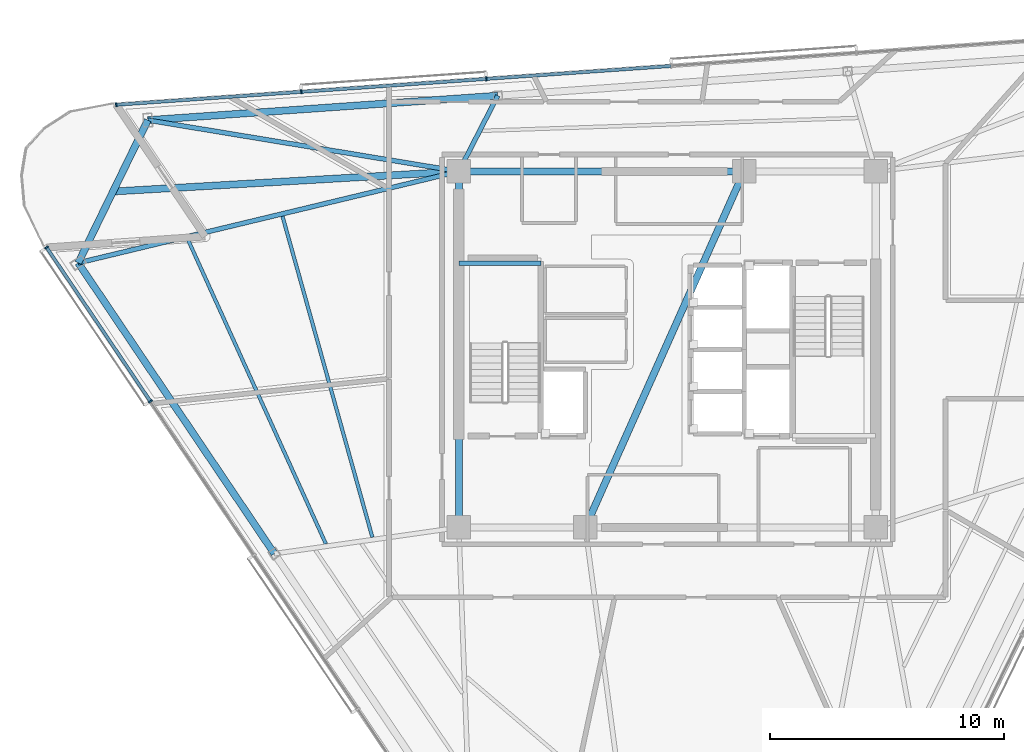
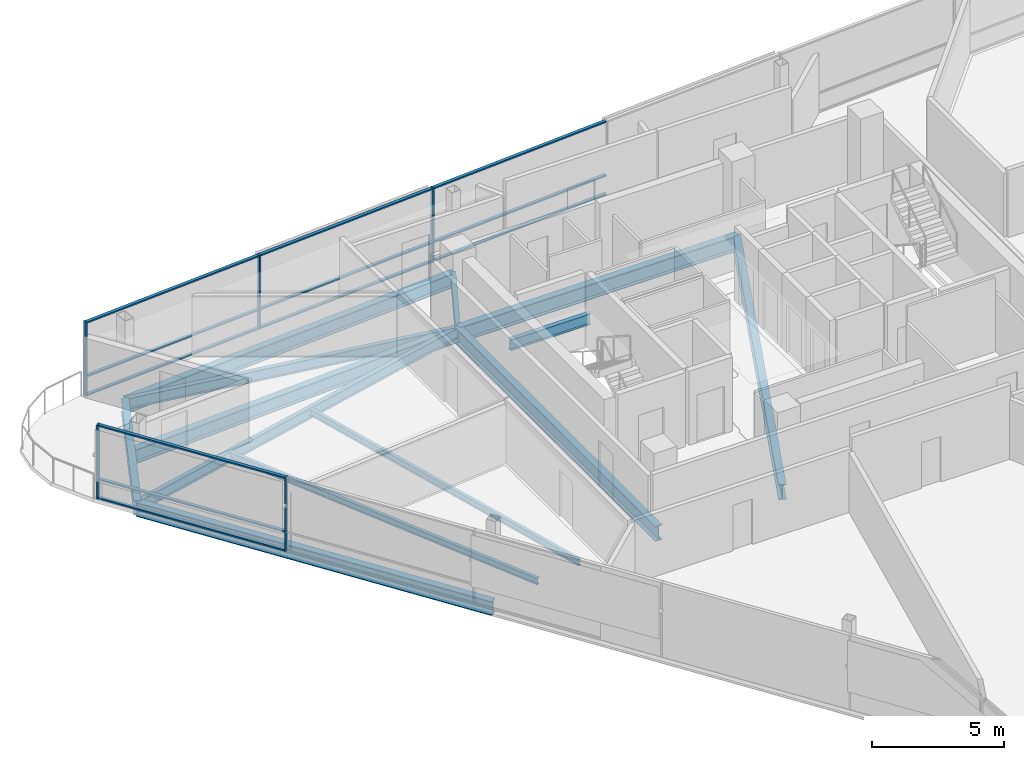
# One storey, part 5 of 16: 17 members, 13 beams, 2 elements without a shape of their own.
"""IFC4 building model written with IfcOpenShell, lengths in metres."""

from ifc_helpers import new_model, si_unit, direction, frame, origin, origin_2d, place, context, subcontext, project, spatial, rectangle, i_section, extrude, material, layer, layer_set, material_profile, profile_set, type_object, element, aggregate, save


model = new_model("IFC4")

# Units and contexts
model_context = context("Model", 3, precision=1e-05, world=origin(), true_north=direction((0.0, 1.0)))
body_context = subcontext(model_context, "Body", "Model", "MODEL_VIEW")
ifc_project = project(units=[si_unit("LENGTHUNIT", "METRE"), si_unit("AREAUNIT", "SQUARE_METRE"), si_unit("VOLUMEUNIT", "CUBIC_METRE"), si_unit("PLANEANGLEUNIT", "RADIAN"), si_unit("MASSUNIT", "GRAM", prefix="KILO")], contexts=[model_context])

# Site, building, storey
site_placement = place(None, origin())
site = spatial("IfcSite", under=ifc_project, at=site_placement, CompositionType="ELEMENT")
building_placement = place(site_placement, origin())
building = spatial("IfcBuilding", under=site, at=building_placement, Name="Tharavind Bronze Gate", CompositionType="ELEMENT")
storey_placement = place(building_placement, frame((0.0, 0.0, 260.60009765625)))
storey = spatial("IfcBuildingStorey", under=building, at=storey_placement, Name="L67", CompositionType="ELEMENT", Elevation=260.60009765625)

# Curtain wall, members
ifc_material_1 = material(Name="Anodised Bronze Aluminium", Category="aluminium")
ifc_layer = layer(ifc_material_1, 0.219970703125)
ifc_layer_set = layer_set([ifc_layer], Name="Anodised Bronze Aluminium")
curtain_wall_type = type_object("IfcCurtainWallType", Name="UNITISED CURTAIN WALL UPPER OFFICE", PredefinedType="USERDEFINED", material=ifc_layer_set)
curtain_wall_1_placement = place(storey_placement, origin())
curtain_wall_1 = element("IfcCurtainWall", 1, at=curtain_wall_1_placement, inside=storey, type_object=curtain_wall_type, Name="L67 unitised curtain wall upper office CW-L67-S1", ObjectType="UNITISED CURTAIN WALL", PredefinedType="USERDEFINED")
member_type_1 = type_object("IfcMemberType", Name="CURTAIN WALL BRONZE MULLION 65X180", PredefinedType="MULLION", material=ifc_material_1)
member_1_placement = place(storey_placement, frame((-26.498046875, 4.352294921875, 0.0), z_axis=(0.0, 0.0, 1.0), x_axis=(0.559191456526, -0.82903854853, 0.0)))
member_1 = element("IfcMember", 2, at=member_1_placement, type_object=member_type_1, Name="CW-L67-S1 mullion 1", PredefinedType="MULLION", context=body_context, shape_type="SweptSolid", body=[
    extrude(rectangle(XDim=0.06494140625, YDim=0.179931640625, at=origin_2d()), origin(), (0.0, 0.0, 1.0), 3.419921875),
])
member_2_placement = place(storey_placement, frame((-22.069091796875, -2.214111328125, 0.0), z_axis=(0.0, 0.0, 1.0), x_axis=(0.559191456526, -0.82903854853, 0.0)))
member_2 = element("IfcMember", 3, at=member_2_placement, type_object=member_type_1, Name="CW-L67-S1 mullion 2", PredefinedType="MULLION", context=body_context, shape_type="SweptSolid", body=[
    extrude(rectangle(XDim=0.06494140625, YDim=0.179931640625, at=origin_2d()), origin(), (0.0, 0.0, 1.0), 3.419921875),
])

curtain_wall_2_placement = place(storey_placement, origin())
curtain_wall_2 = element("IfcCurtainWall", 4, at=curtain_wall_2_placement, inside=storey, type_object=curtain_wall_type, Name="L67 unitised curtain wall upper office CW-L67-S3", ObjectType="UNITISED CURTAIN WALL", PredefinedType="USERDEFINED")
member_3_placement = place(storey_placement, frame((-7.7236328125, 11.551025390625, 0.0), z_axis=(0.0, 0.0, 1.0), x_axis=(-0.997563806758, -0.069759955899, 0.0)))
member_3 = element("IfcMember", 5, at=member_3_placement, type_object=member_type_1, Name="CW-L67-S3 mullion 5", PredefinedType="MULLION", context=body_context, shape_type="SweptSolid", body=[
    extrude(rectangle(XDim=0.06494140625, YDim=0.179931640625, at=origin_2d()), origin(), (0.0, 0.0, 1.0), 3.419921875),
])
member_4_placement = place(storey_placement, frame((-15.624755859375, 10.99853515625, 0.0), z_axis=(0.0, 0.0, 1.0), x_axis=(-0.997563806758, -0.069759955899, 0.0)))
member_4 = element("IfcMember", 6, at=member_4_placement, type_object=member_type_1, Name="CW-L67-S3 mullion 6", PredefinedType="MULLION", context=body_context, shape_type="SweptSolid", body=[
    extrude(rectangle(XDim=0.06494140625, YDim=0.179931640625, at=origin_2d()), origin(), (0.0, 0.0, 1.0), 3.419921875),
])
member_5_placement = place(storey_placement, frame((-23.52587890625, 10.446044921875, 0.0), z_axis=(0.0, 0.0, 1.0), x_axis=(-0.997563806758, -0.069759955899, 0.0)))
member_5 = element("IfcMember", 7, at=member_5_placement, type_object=member_type_1, Name="CW-L67-S3 mullion 7", PredefinedType="MULLION", context=body_context, shape_type="SweptSolid", body=[
    extrude(rectangle(XDim=0.06494140625, YDim=0.179931640625, at=origin_2d()), origin(), (0.0, 0.0, 1.0), 3.419921875),
])

# Member
member_type_2 = type_object("IfcMemberType", Name="CURTAIN WALL BRONZE TRANSOM 65X140", PredefinedType="USERDEFINED", material=ifc_material_1)
member_6_placement = place(storey_placement, frame((-24.283447265625, 1.069091796875, 0.0), z_axis=(0.0, 0.0, 1.0), x_axis=(0.559191456526, -0.82903854853, 0.0)))
member_6 = element("IfcMember", 8, at=member_6_placement, type_object=member_type_2, Name="CW-L67-S1 transom TB1", ObjectType="TRANSOM", PredefinedType="USERDEFINED", context=body_context, shape_type="SweptSolid", body=[
    extrude(rectangle(XDim=7.8671875, YDim=0.139892578125, at=origin_2d()), origin(), (0.0, 0.0, 1.0), 0.06494140625),
])

member_7_placement = place(storey_placement, frame((-24.283447265625, 1.069091796875, 0.867431640625), z_axis=(0.0, 0.0, 1.0), x_axis=(0.559191456526, -0.82903854853, 0.0)))
member_7 = element("IfcMember", 9, at=member_7_placement, type_object=member_type_2, Name="CW-L67-S1 transom TS1", ObjectType="TRANSOM", PredefinedType="USERDEFINED", context=body_context, shape_type="SweptSolid", body=[
    extrude(rectangle(XDim=7.8671875, YDim=0.139892578125, at=origin_2d()), origin(), (0.0, 0.0, 1.0), 0.06494140625),
])

member_8_placement = place(storey_placement, frame((-24.283447265625, 1.069091796875, 3.35498046875), z_axis=(0.0, 0.0, 1.0), x_axis=(0.559191456526, -0.82903854853, 0.0)))
member_8 = element("IfcMember", 10, at=member_8_placement, type_object=member_type_2, Name="CW-L67-S1 transom TT1", ObjectType="TRANSOM", PredefinedType="USERDEFINED", context=body_context, shape_type="SweptSolid", body=[
    extrude(rectangle(XDim=7.8671875, YDim=0.139892578125, at=origin_2d()), origin(), (0.0, 0.0, 1.0), 0.06494140625),
])

aggregate(curtain_wall_1, [member_1, member_2, member_6, member_7, member_8])

member_9_placement = place(storey_placement, frame((-3.773193359375, 11.827392578125, 0.0), z_axis=(0.0, 0.0, 1.0), x_axis=(-0.997563806758, -0.069759955899, 0.0)))
member_9 = element("IfcMember", 11, at=member_9_placement, type_object=member_type_2, Name="CW-L67-S3 transom TB4", ObjectType="TRANSOM", PredefinedType="USERDEFINED", context=body_context, shape_type="SweptSolid", body=[
    extrude(rectangle(XDim=7.8671875, YDim=0.139892578125, at=origin_2d()), origin(), (0.0, 0.0, 1.0), 0.06494140625),
])

member_10_placement = place(storey_placement, frame((-3.773193359375, 11.827392578125, 0.867431640625), z_axis=(0.0, 0.0, 1.0), x_axis=(-0.997563806758, -0.069759955899, 0.0)))
member_10 = element("IfcMember", 12, at=member_10_placement, type_object=member_type_2, Name="CW-L67-S3 transom TS4", ObjectType="TRANSOM", PredefinedType="USERDEFINED", context=body_context, shape_type="SweptSolid", body=[
    extrude(rectangle(XDim=7.8671875, YDim=0.139892578125, at=origin_2d()), origin(), (0.0, 0.0, 1.0), 0.06494140625),
])

member_11_placement = place(storey_placement, frame((-3.773193359375, 11.827392578125, 3.35498046875), z_axis=(0.0, 0.0, 1.0), x_axis=(-0.997563806758, -0.069759955899, 0.0)))
member_11 = element("IfcMember", 13, at=member_11_placement, type_object=member_type_2, Name="CW-L67-S3 transom TT4", ObjectType="TRANSOM", PredefinedType="USERDEFINED", context=body_context, shape_type="SweptSolid", body=[
    extrude(rectangle(XDim=7.8671875, YDim=0.139892578125, at=origin_2d()), origin(), (0.0, 0.0, 1.0), 0.06494140625),
])

member_12_placement = place(storey_placement, frame((-11.67431640625, 11.27490234375, 0.0), z_axis=(0.0, 0.0, 1.0), x_axis=(-0.997563806758, -0.069759955899, 0.0)))
member_12 = element("IfcMember", 14, at=member_12_placement, type_object=member_type_2, Name="CW-L67-S3 transom TB5", ObjectType="TRANSOM", PredefinedType="USERDEFINED", context=body_context, shape_type="SweptSolid", body=[
    extrude(rectangle(XDim=7.8671875, YDim=0.139892578125, at=origin_2d()), origin(), (0.0, 0.0, 1.0), 0.06494140625),
])

member_13_placement = place(storey_placement, frame((-11.67431640625, 11.27490234375, 0.867431640625), z_axis=(0.0, 0.0, 1.0), x_axis=(-0.997563806758, -0.069759955899, 0.0)))
member_13 = element("IfcMember", 15, at=member_13_placement, type_object=member_type_2, Name="CW-L67-S3 transom TS5", ObjectType="TRANSOM", PredefinedType="USERDEFINED", context=body_context, shape_type="SweptSolid", body=[
    extrude(rectangle(XDim=7.8671875, YDim=0.139892578125, at=origin_2d()), origin(), (0.0, 0.0, 1.0), 0.06494140625),
])

member_14_placement = place(storey_placement, frame((-11.67431640625, 11.27490234375, 3.35498046875), z_axis=(0.0, 0.0, 1.0), x_axis=(-0.997563806758, -0.069759955899, 0.0)))
member_14 = element("IfcMember", 16, at=member_14_placement, type_object=member_type_2, Name="CW-L67-S3 transom TT5", ObjectType="TRANSOM", PredefinedType="USERDEFINED", context=body_context, shape_type="SweptSolid", body=[
    extrude(rectangle(XDim=7.8671875, YDim=0.139892578125, at=origin_2d()), origin(), (0.0, 0.0, 1.0), 0.06494140625),
])

member_15_placement = place(storey_placement, frame((-19.5751953125, 10.722412109375, 0.0), z_axis=(0.0, 0.0, 1.0), x_axis=(-0.997563806758, -0.069759955899, 0.0)))
member_15 = element("IfcMember", 17, at=member_15_placement, type_object=member_type_2, Name="CW-L67-S3 transom TB6", ObjectType="TRANSOM", PredefinedType="USERDEFINED", context=body_context, shape_type="SweptSolid", body=[
    extrude(rectangle(XDim=7.8671875, YDim=0.139892578125, at=origin_2d()), origin(), (0.0, 0.0, 1.0), 0.06494140625),
])

member_16_placement = place(storey_placement, frame((-19.5751953125, 10.722412109375, 0.867431640625), z_axis=(0.0, 0.0, 1.0), x_axis=(-0.997563806758, -0.069759955899, 0.0)))
member_16 = element("IfcMember", 18, at=member_16_placement, type_object=member_type_2, Name="CW-L67-S3 transom TS6", ObjectType="TRANSOM", PredefinedType="USERDEFINED", context=body_context, shape_type="SweptSolid", body=[
    extrude(rectangle(XDim=7.8671875, YDim=0.139892578125, at=origin_2d()), origin(), (0.0, 0.0, 1.0), 0.06494140625),
])

member_17_placement = place(storey_placement, frame((-19.5751953125, 10.722412109375, 3.35498046875), z_axis=(0.0, 0.0, 1.0), x_axis=(-0.997563806758, -0.069759955899, 0.0)))
member_17 = element("IfcMember", 19, at=member_17_placement, type_object=member_type_2, Name="CW-L67-S3 transom TT6", ObjectType="TRANSOM", PredefinedType="USERDEFINED", context=body_context, shape_type="SweptSolid", body=[
    extrude(rectangle(XDim=7.8671875, YDim=0.139892578125, at=origin_2d()), origin(), (0.0, 0.0, 1.0), 0.06494140625),
])

aggregate(curtain_wall_2, [member_3, member_4, member_5, member_9, member_10, member_11, member_12, member_13, member_14, member_15, member_16, member_17])

# Beams
ifc_material_2 = material(Name="Steel S355", Category="steel")
ifc_material_profile_1 = material_profile(ifc_material_2, i_section(OverallWidth=0.300048828125, OverallDepth=0.64990234375, WebThickness=0.01611328125, FlangeThickness=0.031005859375, at=origin_2d()), Name="HE650B")
ifc_profile_set_1 = profile_set([ifc_material_profile_1], Name="Steel S355")
beam_type_1 = type_object("IfcBeamType", Name="PRIMARY GIRDER HE650B", PredefinedType="USERDEFINED", material=ifc_profile_set_1)
beam_1_placement = place(storey_placement, frame((-25.14990234375, 3.694580078125, -0.505126953125), z_axis=(0.559195614283, -0.829035744083, 0.0), x_axis=(0.829035744083, 0.559195614283, 0.0)))
element("IfcBeam", 20, at=beam_1_placement, inside=storey, type_object=beam_type_1, Name="L67 primary girder he650b BM-L67-PRG01", ObjectType="GIRDER", PredefinedType="USERDEFINED", context=body_context, shape_type="SweptSolid", body=[
    extrude(i_section(OverallWidth=0.300048828125, OverallDepth=0.64990234375, WebThickness=0.01611328125, FlangeThickness=0.031005859375, at=origin_2d()), origin(), (0.0, 0.0, 1.0), 14.974609375),
])
beam_2_placement = place(storey_placement, frame((-7.239501953125, 10.8330078125, -0.505126953125), z_axis=(-0.997564665038, -0.069747681447, 0.0), x_axis=(0.069747681447, -0.997564665038, 0.0)))
element("IfcBeam", 21, at=beam_2_placement, inside=storey, type_object=beam_type_1, Name="L67 primary girder he650b BM-L67-PRG11", ObjectType="GIRDER", PredefinedType="USERDEFINED", context=body_context, shape_type="SweptSolid", body=[
    extrude(i_section(OverallWidth=0.300048828125, OverallDepth=0.64990234375, WebThickness=0.01611328125, FlangeThickness=0.031005859375, at=origin_2d()), origin(), (0.0, 0.0, 1.0), 14.974365234375),
])
beam_3_placement = place(storey_placement, frame((-22.177490234375, 9.78857421875, -0.505126953125), z_axis=(-0.438391707719, -0.898784017772, 0.0), x_axis=(0.898784017772, -0.438391707719, 0.0)))
element("IfcBeam", 22, at=beam_3_placement, inside=storey, type_object=beam_type_1, Name="L67 primary girder he650b BM-L67-PRG12", ObjectType="GIRDER", PredefinedType="USERDEFINED", context=body_context, shape_type="SweptSolid", body=[
    extrude(i_section(OverallWidth=0.300048828125, OverallDepth=0.64990234375, WebThickness=0.01611328125, FlangeThickness=0.031005859375, at=origin_2d()), origin(), (0.0, 0.0, 1.0), 6.7802734375),
])
beam_4_placement = place(storey_placement, frame((-8.89990234375, 7.60009765625, -0.505126953125), z_axis=(-0.998314047526, -0.058043625934, 0.0), x_axis=(0.058043625934, -0.998314047526, 0.0)))
element("IfcBeam", 23, at=beam_4_placement, inside=storey, type_object=beam_type_1, Name="L67 primary girder he650b BM-L67-BLCSB", ObjectType="GIRDER", PredefinedType="USERDEFINED", context=body_context, shape_type="SweptSolid", body=[
    extrude(i_section(OverallWidth=0.300048828125, OverallDepth=0.64990234375, WebThickness=0.01611328125, FlangeThickness=0.031005859375, at=origin_2d()), origin(), (0.0, 0.0, 1.0), 14.788818359375),
])
ifc_material_profile_2 = material_profile(ifc_material_2, i_section(OverallWidth=0.199951171875, OverallDepth=0.5, WebThickness=0.01025390625, FlangeThickness=0.01611328125, at=origin_2d()), Name="IPE500")
ifc_profile_set_2 = profile_set([ifc_material_profile_2], Name="Steel S355")
beam_type_2 = type_object("IfcBeamType", Name="PRIMARY GIRDER IPE500", PredefinedType="USERDEFINED", material=ifc_profile_set_2)
beam_5_placement = place(storey_placement, frame((-8.89990234375, 3.679931640625, 1.349853515625), z_axis=(1.0, 0.0, 0.0), x_axis=(0.0, 1.0, 0.0)))
element("IfcBeam", 24, at=beam_5_placement, inside=storey, type_object=beam_type_2, Name="L67 primary girder ipe500 BM-LD-ST1-L67-1", ObjectType="GIRDER", PredefinedType="USERDEFINED", context=body_context, shape_type="SweptSolid", body=[
    extrude(i_section(OverallWidth=0.199951171875, OverallDepth=0.5, WebThickness=0.01025390625, FlangeThickness=0.01611328125, at=origin_2d()), origin(), (0.0, 0.0, 1.0), 3.5),
])
beam_6_placement = place(storey_placement, frame((-25.14990234375, 3.694580078125, -0.43017578125), z_axis=(0.97231233309, 0.23368510205, 0.0), x_axis=(-0.23368510205, 0.97231233309, 0.0)))
element("IfcBeam", 25, at=beam_6_placement, inside=storey, type_object=beam_type_2, Name="L67 primary girder ipe500 BM-L67-RAD01", ObjectType="GIRDER", PredefinedType="USERDEFINED", context=body_context, shape_type="SweptSolid", body=[
    extrude(i_section(OverallWidth=0.199951171875, OverallDepth=0.5, WebThickness=0.01025390625, FlangeThickness=0.01611328125, at=origin_2d()), origin(), (0.0, 0.0, 1.0), 16.712646484375),
])
beam_7_placement = place(storey_placement, frame((-7.239501953125, 10.8330078125, -0.43017578125), z_axis=(-0.45686071546, -0.889538243511, 0.0), x_axis=(0.889538243511, -0.45686071546, 0.0)))
element("IfcBeam", 26, at=beam_7_placement, inside=storey, type_object=beam_type_2, Name="L67 primary girder ipe500 BM-L67-RAD11", ObjectType="GIRDER", PredefinedType="USERDEFINED", context=body_context, shape_type="SweptSolid", body=[
    extrude(i_section(OverallWidth=0.199951171875, OverallDepth=0.5, WebThickness=0.01025390625, FlangeThickness=0.01611328125, at=origin_2d()), origin(), (0.0, 0.0, 1.0), 3.63427734375),
])
beam_8_placement = place(storey_placement, frame((-22.177490234375, 9.78857421875, -0.43017578125), z_axis=(0.986687034236, -0.16263055208, 0.0), x_axis=(0.16263055208, 0.986687034236, 0.0)))
element("IfcBeam", 27, at=beam_8_placement, inside=storey, type_object=beam_type_2, Name="L67 primary girder ipe500 BM-L67-RAD12", ObjectType="GIRDER", PredefinedType="USERDEFINED", context=body_context, shape_type="SweptSolid", body=[
    extrude(i_section(OverallWidth=0.199951171875, OverallDepth=0.5, WebThickness=0.01025390625, FlangeThickness=0.01611328125, at=origin_2d()), origin(), (0.0, 0.0, 1.0), 13.456787109375),
])
ifc_material_profile_3 = material_profile(ifc_material_2, i_section(OverallWidth=0.300048828125, OverallDepth=0.699951171875, WebThickness=0.01708984375, FlangeThickness=0.031982421875, at=origin_2d()), Name="HE700B")
ifc_profile_set_3 = profile_set([ifc_material_profile_3], Name="Steel S355")
beam_type_3 = type_object("IfcBeamType", Name="RING GIRDER HE700B", PredefinedType="USERDEFINED", material=ifc_profile_set_3)
beam_9_placement = place(storey_placement, frame((3.280029296875, 7.60009765625, -0.530029296875), z_axis=(-1.0, 0.0, 0.0), x_axis=(0.0, -1.0, 0.0)))
element("IfcBeam", 28, at=beam_9_placement, inside=storey, type_object=beam_type_3, Name="L67 ring girder he700b BM-L67-CR5", ObjectType="GIRDER", PredefinedType="USERDEFINED", context=body_context, shape_type="SweptSolid", body=[
    extrude(i_section(OverallWidth=0.300048828125, OverallDepth=0.699951171875, WebThickness=0.01708984375, FlangeThickness=0.031982421875, at=origin_2d()), origin(), (0.0, 0.0, 1.0), 12.179931640625),
])
beam_10_placement = place(storey_placement, frame((-8.89990234375, 7.60009765625, -0.530029296875), z_axis=(0.0, -1.0, 0.0), x_axis=(1.0, 0.0, 0.0)))
element("IfcBeam", 29, at=beam_10_placement, inside=storey, type_object=beam_type_3, Name="L67 ring girder he700b BM-L67-CR6", ObjectType="GIRDER", PredefinedType="USERDEFINED", context=body_context, shape_type="SweptSolid", body=[
    extrude(i_section(OverallWidth=0.300048828125, OverallDepth=0.699951171875, WebThickness=0.01708984375, FlangeThickness=0.031982421875, at=origin_2d()), origin(), (0.0, 0.0, 1.0), 15.2001953125),
])
beam_11_placement = place(storey_placement, frame((-3.5, -7.60009765625, -0.530029296875), z_axis=(0.407361644566, 0.913266932795, 0.0), x_axis=(-0.913266932795, 0.407361644566, 0.0)))
element("IfcBeam", 30, at=beam_11_placement, inside=storey, type_object=beam_type_3, Name="L67 ring girder he700b BM-L67-CR7", ObjectType="GIRDER", PredefinedType="USERDEFINED", context=body_context, shape_type="SweptSolid", body=[
    extrude(i_section(OverallWidth=0.300048828125, OverallDepth=0.699951171875, WebThickness=0.01708984375, FlangeThickness=0.031982421875, at=origin_2d()), origin(), (0.0, 0.0, 1.0), 16.643798828125),
])
ifc_material_profile_4 = material_profile(ifc_material_2, i_section(OverallWidth=0.14990234375, OverallDepth=0.300048828125, WebThickness=0.007080078125, FlangeThickness=0.0107421875, at=origin_2d()), Name="IPE300")
ifc_profile_set_4 = profile_set([ifc_material_profile_4], Name="Steel S355")
beam_type_4 = type_object("IfcBeamType", Name="SECONDARY FLOOR JOIST IPE300", PredefinedType="JOIST", material=ifc_profile_set_4)
beam_12_placement = place(storey_placement, frame((-16.427978515625, 5.683837890625, -0.330078125), z_axis=(0.26963947071, -0.96296134701, 0.0), x_axis=(0.96296134701, 0.26963947071, 0.0)))
element("IfcBeam", 31, at=beam_12_placement, inside=storey, type_object=beam_type_4, Name="L67 secondary floor joist ipe300 BM-L67-JSTA01", PredefinedType="JOIST", context=body_context, shape_type="SweptSolid", body=[
    extrude(i_section(OverallWidth=0.14990234375, OverallDepth=0.300048828125, WebThickness=0.007080078125, FlangeThickness=0.0107421875, at=origin_2d()), origin(), (0.0, 0.0, 1.0), 14.230712890625),
])
beam_13_placement = place(storey_placement, frame((-20.47509765625, 4.711181640625, -0.330078125), z_axis=(0.412859068065, -0.910794921987, 0.0), x_axis=(0.910794921987, 0.412859068065, 0.0)))
element("IfcBeam", 32, at=beam_13_placement, inside=storey, type_object=beam_type_4, Name="L67 secondary floor joist ipe300 BM-L67-JSTB01", PredefinedType="JOIST", context=body_context, shape_type="SweptSolid", body=[
    extrude(i_section(OverallWidth=0.14990234375, OverallDepth=0.300048828125, WebThickness=0.007080078125, FlangeThickness=0.0107421875, at=origin_2d()), origin(), (0.0, 0.0, 1.0), 14.2880859375),
])

save(model, "model.ifc")
